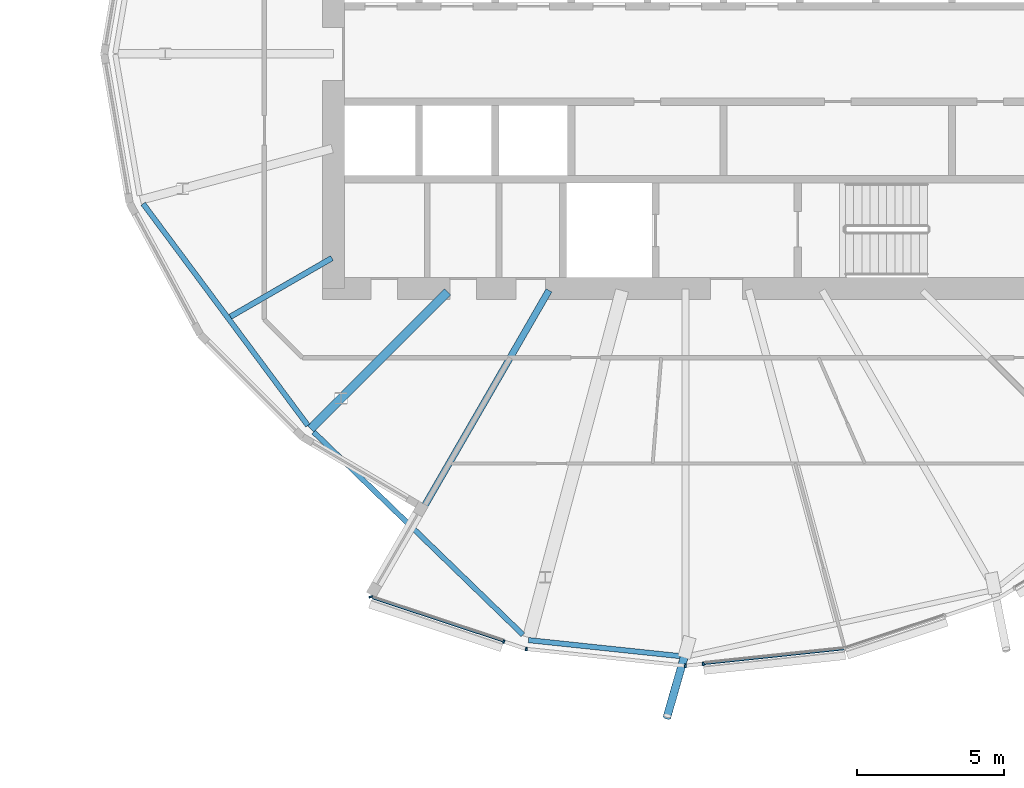
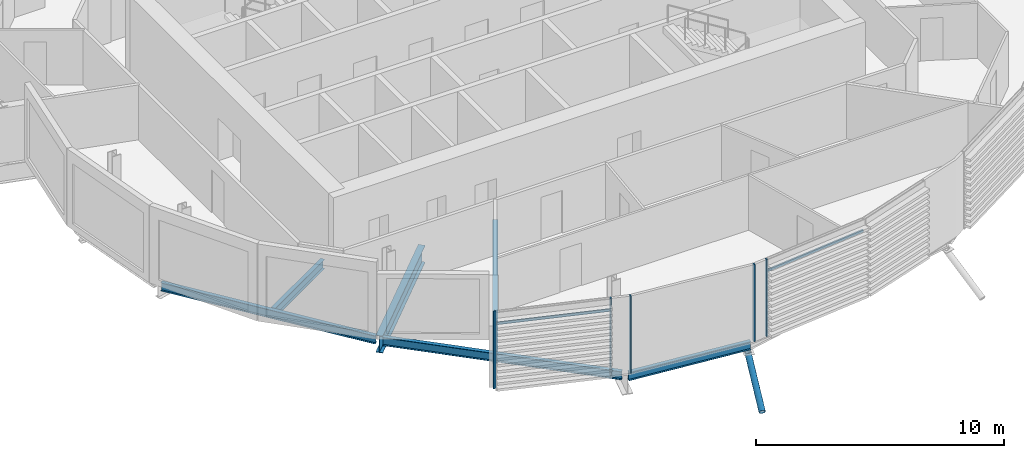
# One storey, part 3 of 38: 8 members, 6 beams, 1 element without a shape of its own.
"""IFC4 building model written with IfcOpenShell, lengths in metres."""

from ifc_helpers import new_model, si_unit, direction, frame, origin, origin_2d, place, context, subcontext, project, spatial, rectangle, hollow_circle, i_section, extrude, clip, halfspace, material, material_profile, profile_set, type_object, element, aggregate, save


model = new_model("IFC4")

# Units and contexts
model_context = context("Model", 3, precision=1e-05, world=origin(), true_north=direction((0.0, 1.0)))
body_context = subcontext(model_context, "Body", "Model", "MODEL_VIEW")
ifc_project = project(units=[si_unit("LENGTHUNIT", "METRE"), si_unit("AREAUNIT", "SQUARE_METRE"), si_unit("VOLUMEUNIT", "CUBIC_METRE"), si_unit("PLANEANGLEUNIT", "RADIAN"), si_unit("MASSUNIT", "GRAM", prefix="KILO")], contexts=[model_context])

# Site, building, storey
site_placement = place(None, origin())
site = spatial("IfcSite", under=ifc_project, at=site_placement, CompositionType="ELEMENT")
building_placement = place(site_placement, origin())
building = spatial("IfcBuilding", under=site, at=building_placement, Name="Rimbun Link Towers", CompositionType="ELEMENT")
storey_placement = place(building_placement, frame((0.0, 0.0, 108.199951171875)))
storey = spatial("IfcBuildingStorey", under=building, at=storey_placement, Name="L26", CompositionType="ELEMENT", Elevation=108.199951171875)

# Curtain wall, members
ifc_material_1 = material(Name="Aluminium 6063-T6 and low-iron glass", Category="aluminium")
curtain_wall_type = type_object("IfcCurtainWallType", Name="CW1-Z2 unitised vision wall (zone 2)", PredefinedType="NOTDEFINED", material=ifc_material_1)
curtain_wall_placement = place(storey_placement, origin())
curtain_wall = element("IfcCurtainWall", 1, at=curtain_wall_placement, inside=storey, type_object=curtain_wall_type, Name="CW1 L26 T1", PredefinedType="NOTDEFINED")
ifc_material_2 = material(Name="Aluminium 6063-T6", Category="aluminium")
ifc_material_profile_1 = material_profile(ifc_material_2, rectangle(XDim=0.1201171875, YDim=0.06005859375, at=origin_2d()), Name="MULLION 60X120")
ifc_profile_set_1 = profile_set([ifc_material_profile_1], Name="Aluminium 6063-T6")
member_type_1 = type_object("IfcMemberType", Name="CW1 mullion 60X120", PredefinedType="MULLION", material=ifc_profile_set_1)
member_1_placement = place(storey_placement, frame((-37.945556640625, -20.022705078125, 0.0), z_axis=(0.0, 0.0, 1.0), x_axis=(-0.314562268358, -0.949236840481, 0.0)))
member_1 = element("IfcMember", 2, at=member_1_placement, type_object=member_type_1, Name="CW1 mullion", PredefinedType="MULLION", context=body_context, shape_type="SweptSolid", body=[
    extrude(rectangle(XDim=0.1201171875, YDim=0.06005859375, at=origin_2d()), origin(), (0.0, 0.0, 1.0), 3.800048828125),
])
member_2_placement = place(storey_placement, frame((-42.47412109375, -18.498779296875, 0.0), z_axis=(0.0, 0.0, 1.0), x_axis=(-0.934621994877, -0.355642695261, 0.0)))
member_2 = element("IfcMember", 3, at=member_2_placement, type_object=member_type_1, Name="CW1 mullion", PredefinedType="MULLION", context=body_context, shape_type="SweptSolid", body=[
    extrude(rectangle(XDim=0.1201171875, YDim=0.06005859375, at=origin_2d()), origin(), (0.0, 0.0, 1.0), 3.800048828125),
])
member_3_placement = place(storey_placement, frame((-31.75634765625, -20.84765625, 0.0), z_axis=(0.0, 0.0, 1.0), x_axis=(-0.104731609524, -0.994500522859, 0.0)))
member_3 = element("IfcMember", 4, at=member_3_placement, type_object=member_type_1, Name="CW1 mullion", PredefinedType="MULLION", context=body_context, shape_type="SweptSolid", body=[
    extrude(rectangle(XDim=0.1201171875, YDim=0.06005859375, at=origin_2d()), origin(), (0.0, 0.0, 1.0), 3.800048828125),
])
member_4_placement = place(storey_placement, frame((-37.173583984375, -20.277099609375, 0.0), z_axis=(0.0, 0.0, 1.0), x_axis=(-0.104731609524, -0.994500522859, 0.0)))
member_4 = element("IfcMember", 5, at=member_4_placement, type_object=member_type_1, Name="CW1 mullion", PredefinedType="MULLION", context=body_context, shape_type="SweptSolid", body=[
    extrude(rectangle(XDim=0.1201171875, YDim=0.06005859375, at=origin_2d()), origin(), (0.0, 0.0, 1.0), 3.800048828125),
])
member_5_placement = place(storey_placement, frame((-31.14697265625, -20.784912109375, 0.0), z_axis=(0.0, 0.0, 1.0), x_axis=(0.104731609524, -0.994500522859, 0.0)))
member_5 = element("IfcMember", 6, at=member_5_placement, type_object=member_type_1, Name="CW1 mullion", PredefinedType="MULLION", context=body_context, shape_type="SweptSolid", body=[
    extrude(rectangle(XDim=0.1201171875, YDim=0.06005859375, at=origin_2d()), origin(), (0.0, 0.0, 1.0), 3.800048828125),
])
ifc_material_3 = material(Name="Aluminium 6063-T6", Category="aluminium")
ifc_material_profile_2 = material_profile(ifc_material_3, rectangle(XDim=0.06005859375, YDim=0.1201171875, at=origin_2d()), Name="TRANSOM 60X120")
ifc_profile_set_2 = profile_set([ifc_material_profile_2], Name="Aluminium 6063-T6")
member_type_2 = type_object("IfcMemberType", Name="CW1 transom 60X120", PredefinedType="USERDEFINED", material=ifc_profile_set_2)
member_6_placement = place(storey_placement, frame((-37.973388671875, -20.011474609375, 3.199951171875), z_axis=(-0.949235820186, 0.314565347228, 0.0), x_axis=(-0.314565347228, -0.949235820186, 0.0)))
member_6 = element("IfcMember", 7, at=member_6_placement, type_object=member_type_2, Name="CW1 transom", ObjectType="TRANSOM", PredefinedType="USERDEFINED", context=body_context, shape_type="SweptSolid", body=[
    extrude(rectangle(XDim=0.06005859375, YDim=0.1201171875, at=origin_2d()), origin(), (0.0, 0.0, 1.0), 4.67138671875),
])
member_7_placement = place(storey_placement, frame((-26.3564453125, -20.2783203125, 3.199951171875), z_axis=(-0.994498744384, -0.104748496024, 0.0), x_axis=(0.104748496024, -0.994498744384, 0.0)))
member_7 = element("IfcMember", 8, at=member_7_placement, type_object=member_type_2, Name="CW1 transom", ObjectType="TRANSOM", PredefinedType="USERDEFINED", context=body_context, shape_type="SweptSolid", body=[
    extrude(rectangle(XDim=0.06005859375, YDim=0.1201171875, at=origin_2d()), origin(), (0.0, 0.0, 1.0), 4.787353515625),
])
aggregate(curtain_wall, [member_1, member_2, member_3, member_4, member_5, member_6, member_7])

# Member
ifc_material_4 = material(Name="Steel S355J2H", Category="steel")
ifc_material_profile_3 = material_profile(ifc_material_4, hollow_circle(Radius=0.136474609375, WallThickness=0.012451171875, at=origin_2d()), Name="CHS 273x12.5")
ifc_profile_set_3 = profile_set([ifc_material_profile_3], Name="Steel S355J2H")
member_type_3 = type_object("IfcMemberType", Name="Floor edge link CHS 273x12.5", PredefinedType="BRACE", material=ifc_profile_set_3)
member_8_placement = place(storey_placement, frame((-31.75, -20.396240234375, -0.963134765625), z_axis=(-0.24257082263, -0.844131489246, -0.478122813587), x_axis=(0.961104664945, -0.276184400392, 0.0)))
element("IfcMember", 9, at=member_8_placement, inside=storey, type_object=member_type_3, Name="Floor edge link T1 L26 18", PredefinedType="BRACE", context=body_context, shape_type="Clipping", body=[
    clip(extrude(hollow_circle(Radius=0.136474609375, WallThickness=0.012451171875, at=origin_2d()), frame((0.0, 0.0, -0.5224609375)), (0.0, 0.0, 1.0), 3.131103515625), halfspace(frame((0.0, 0.0, -0.24609375), z_axis=(0.0, 0.878292989342, -0.478122813587)), False)),
])

# Beams
ifc_material_5 = material(Name="Steel S355J2", Category="steel")
ifc_material_profile_4 = material_profile(ifc_material_5, i_section(OverallWidth=0.177978515625, OverallDepth=0.406494140625, WebThickness=0.0078125, FlangeThickness=0.0126953125, at=origin_2d()), Name="UB 406x178x60")
ifc_profile_set_4 = profile_set([ifc_material_profile_4], Name="Steel S355J2")
beam_type_1 = type_object("IfcBeamType", Name="UB 406x178x60", PredefinedType="BEAM", material=ifc_profile_set_4)
beam_1_placement = place(storey_placement, frame((-50.230224609375, -5.10400390625, -0.363037109375), z_axis=(0.596395635551, -0.802690629007, 0.0), x_axis=(0.802690629007, 0.596395635551, 0.0)))
element("IfcBeam", 10, at=beam_1_placement, inside=storey, type_object=beam_type_1, Name="Edge beam T1 L26 13-15", PredefinedType="BEAM", context=body_context, shape_type="SweptSolid", body=[
    extrude(i_section(OverallWidth=0.177978515625, OverallDepth=0.406494140625, WebThickness=0.0078125, FlangeThickness=0.0126953125, at=origin_2d()), origin(), (0.0, 0.0, 1.0), 9.412109375),
])
beam_2_placement = place(storey_placement, frame((-44.422607421875, -12.880615234375, -0.363037109375), z_axis=(0.718224103486, -0.695811854722, 0.0), x_axis=(0.695811854722, 0.718224103486, 0.0)))
element("IfcBeam", 11, at=beam_2_placement, inside=storey, type_object=beam_type_1, Name="Edge beam T1 L26 15-17", PredefinedType="BEAM", context=body_context, shape_type="SweptSolid", body=[
    extrude(i_section(OverallWidth=0.177978515625, OverallDepth=0.406494140625, WebThickness=0.0078125, FlangeThickness=0.0126953125, at=origin_2d()), origin(), (0.0, 0.0, 1.0), 9.9345703125),
])
beam_3_placement = place(storey_placement, frame((-37.100830078125, -19.97314453125, -0.363037109375), z_axis=(0.994498985363, -0.104746208106, 0.0), x_axis=(0.104746208106, 0.994498985363, 0.0)))
element("IfcBeam", 12, at=beam_3_placement, inside=storey, type_object=beam_type_1, Name="Edge beam T1 L26 17", PredefinedType="BEAM", context=body_context, shape_type="SweptSolid", body=[
    extrude(i_section(OverallWidth=0.177978515625, OverallDepth=0.406494140625, WebThickness=0.0078125, FlangeThickness=0.0126953125, at=origin_2d()), origin(), (0.0, 0.0, 1.0), 5.37939453125),
])
ifc_material_6 = material(Name="Steel S355J2", Category="steel")
ifc_material_profile_5 = material_profile(ifc_material_6, i_section(OverallWidth=0.18994140625, OverallDepth=0.453369140625, WebThickness=0.008544921875, FlangeThickness=0.0126953125, at=origin_2d()), Name="UB 457x191x67")
ifc_profile_set_5 = profile_set([ifc_material_profile_5], Name="Steel S355J2")
beam_type_2 = type_object("IfcBeamType", Name="UB 457x191x67", PredefinedType="BEAM", material=ifc_profile_set_5)
beam_4_placement = place(storey_placement, frame((-43.79833984375, -6.9560546875, -0.38671875), z_axis=(-0.866015630196, -0.50001692797, 0.0), x_axis=(0.50001692797, -0.866015630196, 0.0)))
element("IfcBeam", 13, at=beam_4_placement, inside=storey, type_object=beam_type_2, Name="Radial beam T1 L26 14", PredefinedType="BEAM", context=body_context, shape_type="SweptSolid", body=[
    extrude(i_section(OverallWidth=0.18994140625, OverallDepth=0.453369140625, WebThickness=0.008544921875, FlangeThickness=0.0126953125, at=origin_2d()), origin(), (0.0, 0.0, 1.0), 3.994873046875),
])
ifc_material_7 = material(Name="Steel S355J2", Category="steel")
ifc_material_profile_6 = material_profile(ifc_material_7, i_section(OverallWidth=0.2275390625, OverallDepth=0.6025390625, WebThickness=0.010498046875, FlangeThickness=0.014892578125, at=origin_2d()), Name="UB 610x229x101")
ifc_profile_set_6 = profile_set([ifc_material_profile_6], Name="Steel S355J2")
beam_type_3 = type_object("IfcBeamType", Name="UB 610x229x101", PredefinedType="BEAM", material=ifc_profile_set_6)
beam_5_placement = place(storey_placement, frame((-36.402099609375, -8.057861328125, -0.461181640625), z_axis=(-0.4999956107, -0.866027937933, 0.0), x_axis=(0.866027937933, -0.4999956107, 0.0)))
element("IfcBeam", 14, at=beam_5_placement, inside=storey, type_object=beam_type_3, Name="Radial beam T1 L26 16", PredefinedType="BEAM", context=body_context, shape_type="SweptSolid", body=[
    extrude(i_section(OverallWidth=0.2275390625, OverallDepth=0.6025390625, WebThickness=0.010498046875, FlangeThickness=0.014892578125, at=origin_2d()), origin(), (0.0, 0.0, 1.0), 9.232421875),
])
ifc_material_8 = material(Name="Steel S355J2", Category="steel")
ifc_material_profile_7 = material_profile(ifc_material_8, i_section(OverallWidth=0.29248046875, OverallDepth=0.8408203125, WebThickness=0.0126953125, FlangeThickness=0.021728515625, at=origin_2d()), Name="UB 838x292x194")
ifc_profile_set_7 = profile_set([ifc_material_profile_7], Name="Steel S355J2")
beam_type_4 = type_object("IfcBeamType", Name="UB 838x292x194", PredefinedType="BEAM", material=ifc_profile_set_7)
beam_6_placement = place(storey_placement, frame((-39.85400390625, -8.10400390625, -0.580322265625), z_axis=(-0.707106781187, -0.707106781187, 0.0), x_axis=(0.707106781187, -0.707106781187, 0.0)))
element("IfcBeam", 15, at=beam_6_placement, inside=storey, type_object=beam_type_4, Name="Radial beam T1 L26 15", PredefinedType="BEAM", context=body_context, shape_type="SweptSolid", body=[
    extrude(i_section(OverallWidth=0.29248046875, OverallDepth=0.8408203125, WebThickness=0.0126953125, FlangeThickness=0.021728515625, at=origin_2d()), origin(), (0.0, 0.0, 1.0), 6.610595703125),
])

save(model, "model.ifc")
